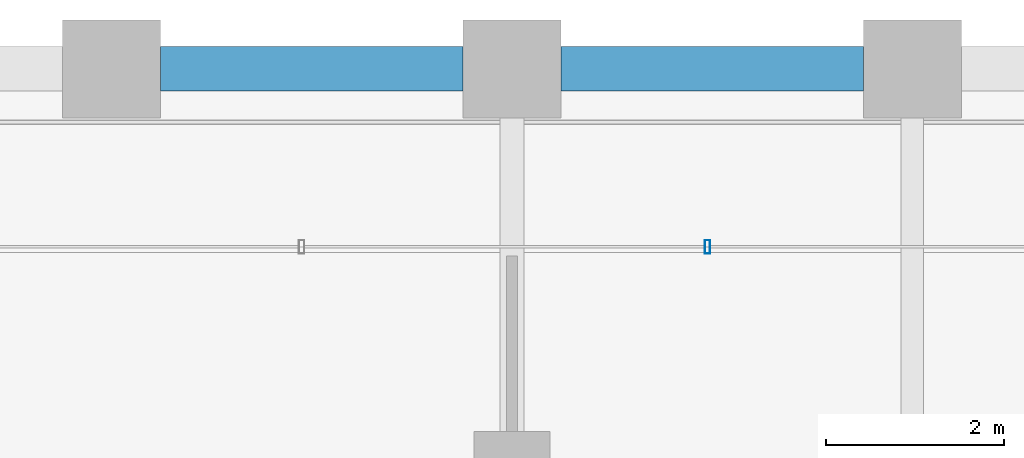
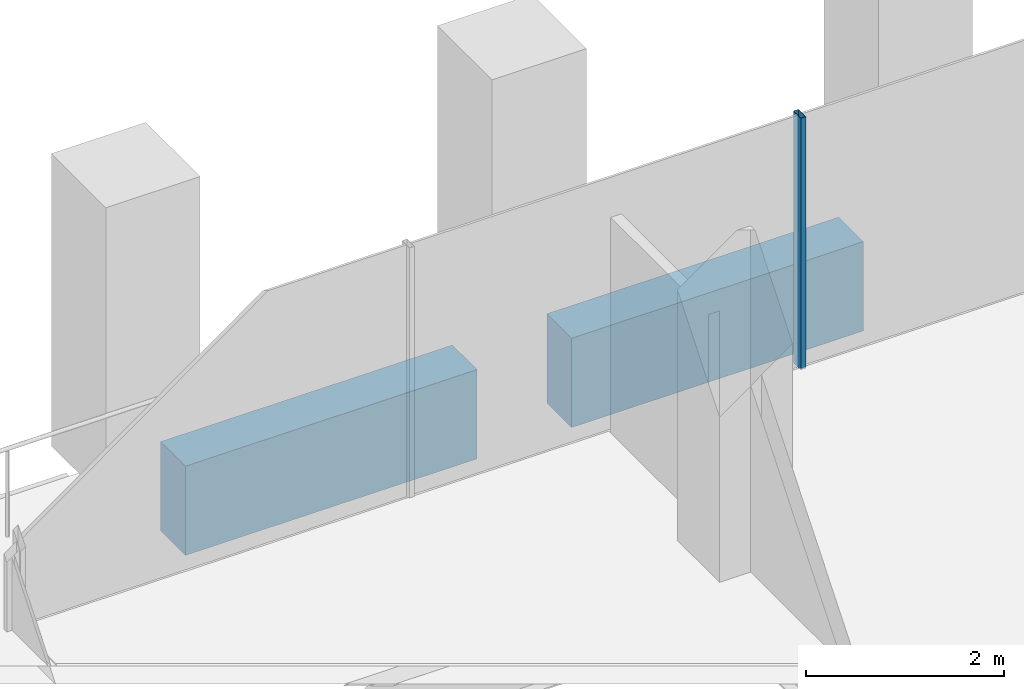
# One storey, part 27 of 54: 2 beams, 1 member, 1 element without a shape of its own.
"""IFC4 building model written with IfcOpenShell, lengths in metres."""

from ifc_helpers import new_model, si_unit, direction, frame, origin, origin_2d, place, context, subcontext, project, spatial, rectangle, hollow_rectangle, extrude, material, material_profile, profile_set, type_object, element, aggregate, save


model = new_model("IFC4")

# Units and contexts
model_context = context("Model", 3, precision=1e-05, world=origin(), true_north=direction((0.0, 1.0)))
body_context = subcontext(model_context, "Body", "Model", "MODEL_VIEW")
ifc_project = project(units=[si_unit("LENGTHUNIT", "METRE"), si_unit("AREAUNIT", "SQUARE_METRE"), si_unit("VOLUMEUNIT", "CUBIC_METRE"), si_unit("PLANEANGLEUNIT", "RADIAN"), si_unit("MASSUNIT", "GRAM", prefix="KILO")], contexts=[model_context])

# Site, building, storey
site_placement = place(None, origin())
site = spatial("IfcSite", under=ifc_project, at=site_placement, CompositionType="ELEMENT")
building_placement = place(site_placement, origin())
building = spatial("IfcBuilding", under=site, at=building_placement, Name="Altepetl Exchange Towers", CompositionType="ELEMENT")
storey_placement = place(building_placement, frame((0.0, 0.0, 58.199951171875)))
storey = spatial("IfcBuildingStorey", under=building, at=storey_placement, Name="L13", CompositionType="ELEMENT", Elevation=58.199951171875)

# Curtain wall, member
ifc_material_1 = material(Name="Aluminium 6063-T6 glazing", Category="aluminium")
curtain_wall_type = type_object("IfcCurtainWallType", Name="Loggia glazing system", PredefinedType="NOTDEFINED", material=ifc_material_1)
curtain_wall_placement = place(storey_placement, origin())
curtain_wall = element("IfcCurtainWall", 1, at=curtain_wall_placement, inside=storey, type_object=curtain_wall_type, Name="CW1 run", PredefinedType="NOTDEFINED")
ifc_material_2 = material(Name="Aluminium 6063-T6", Category="aluminium")
ifc_material_profile_1 = material_profile(ifc_material_2, hollow_rectangle(XDim=0.06005859375, YDim=0.14990234375, WallThickness=0.0029296875, at=origin_2d()), Name="Mullion 60x150 aluminium")
ifc_profile_set_1 = profile_set([ifc_material_profile_1], Name="Aluminium 6063-T6")
member_type = type_object("IfcMemberType", Name="Mullion 60x150 aluminium", PredefinedType="MULLION", material=ifc_profile_set_1)
member_placement = place(storey_placement, frame((42.696533203125, 70.0, 0.0), z_axis=(0.0, 0.0, 1.0), x_axis=(-1.0, 0.0, 0.0)))
member = element("IfcMember", 2, at=member_placement, type_object=member_type, Name="MU1 mullion", PredefinedType="MULLION", context=body_context, shape_type="SweptSolid", body=[
    extrude(hollow_rectangle(XDim=0.06005859375, YDim=0.14990234375, WallThickness=0.0029296875, at=origin_2d()), origin(), (0.0, 0.0, 1.0), 3.10009765625),
])
aggregate(curtain_wall, [member])

# Beams
ifc_material_3 = material(Name="Concrete C50/60 precast with cantera rosa facing", Category="concrete")
ifc_material_profile_2 = material_profile(ifc_material_3, rectangle(XDim=0.5, YDim=1.10009765625, at=origin_2d()), Name="500 x 1100")
ifc_profile_set_2 = profile_set([ifc_material_profile_2], Name="Concrete C50/60 precast with cantera rosa facing")
beam_type_1 = type_object("IfcBeamType", Name="Spandrel beam 500x1100 cantera rosa", PredefinedType="SPANDREL", material=ifc_profile_set_2)
beam_1_placement = place(storey_placement, frame((44.449951171875, 72.0, -0.699951171875), z_axis=(-1.0, 0.0, 0.0), x_axis=(0.0, -1.0, 0.0)))
element("IfcBeam", 3, at=beam_1_placement, inside=storey, type_object=beam_type_1, Name="sp:A:L13:029", PredefinedType="SPANDREL", context=body_context, shape_type="SweptSolid", body=[
    extrude(rectangle(XDim=0.5, YDim=1.10009765625, at=origin_2d()), origin(), (0.0, 0.0, 1.0), 3.39990234375),
])
ifc_material_4 = material(Name="Concrete C50/60 precast with tezontle facing", Category="concrete")
ifc_material_profile_3 = material_profile(ifc_material_4, rectangle(XDim=0.5, YDim=1.10009765625, at=origin_2d()), Name="500 x 1100")
ifc_profile_set_3 = profile_set([ifc_material_profile_3], Name="Concrete C50/60 precast with tezontle facing")
beam_type_2 = type_object("IfcBeamType", Name="Spandrel beam 500x1100 tezontle", PredefinedType="SPANDREL", material=ifc_profile_set_3)
beam_2_placement = place(storey_placement, frame((39.949951171875, 72.0, -0.699951171875), z_axis=(-1.0, 0.0, 0.0), x_axis=(0.0, -1.0, 0.0)))
element("IfcBeam", 4, at=beam_2_placement, inside=storey, type_object=beam_type_2, Name="sp:A:L13:030", PredefinedType="SPANDREL", context=body_context, shape_type="SweptSolid", body=[
    extrude(rectangle(XDim=0.5, YDim=1.10009765625, at=origin_2d()), origin(), (0.0, 0.0, 1.0), 3.39990234375),
])

save(model, "model.ifc")
